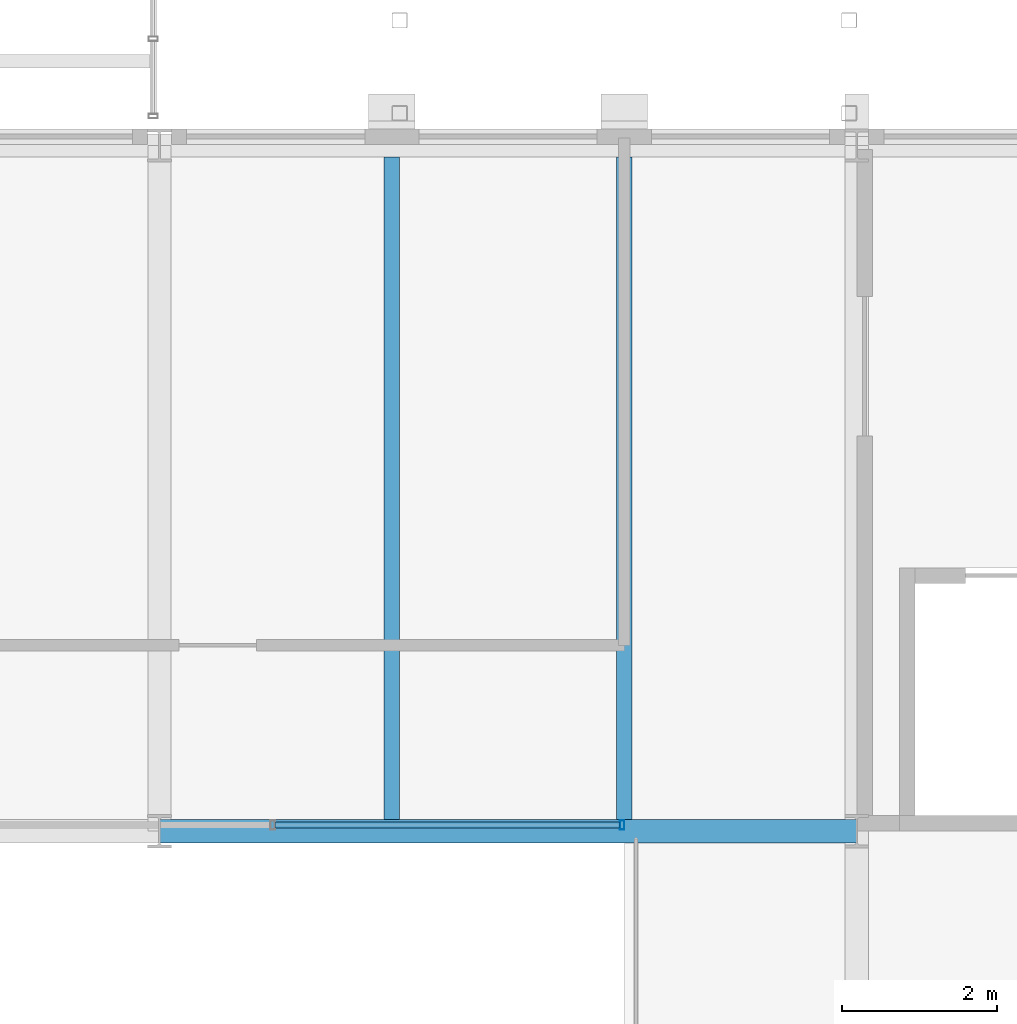
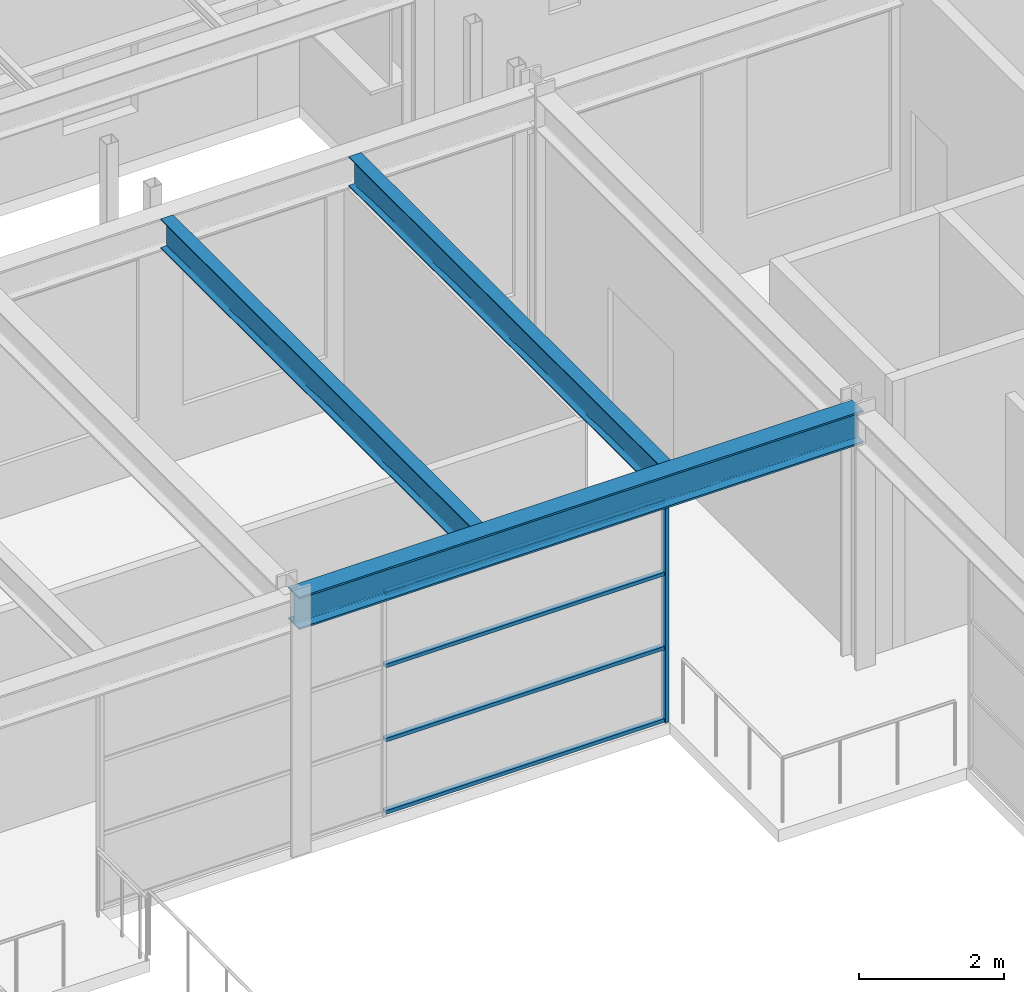
# One storey, part 64 of 153: 5 members, 3 beams, 1 element without a shape of its own.
"""IFC4 building model written with IfcOpenShell, lengths in metres."""

import ifcopenshell
import ifcopenshell.guid

model = None  # the IFC model being written
_history = None  # IfcOwnerHistory: only IFC2X3 demands one
_inside = {}  # id of a spatial element -> (the spatial element, [elements in it])
_under = {}  # id of a project, library or spatial element -> (it, [spatial elements below it])
_declared = {}  # id of a project -> (the project, [libraries it declares])
_typed = {}  # id of a type object -> (the type object, [elements of that type])
_made_of = {}  # id of a material, layer set ... -> (it, [elements and type objects made of it])


def new_model(schema):
    """Start an empty IFC model of exactly this schema.

    Asked for "IFC4X3", IfcOpenShell would pick the latest addendum, in which some entities
    have other attributes; the version numbers below select the first issue.
    IFC2X3 requires an IfcOwnerHistory on every rooted entity: one is made here for all.
    """
    global model, _history
    if schema == "IFC4X3":
        model = ifcopenshell.file(schema_version=(4, 3, 0, 0))
    else:
        model = ifcopenshell.file(schema=schema)
    _inside.clear()
    _under.clear()
    _declared.clear()
    _typed.clear()
    _made_of.clear()
    _history = None
    if model.schema == "IFC2X3":
        org = make("IfcOrganization", Name="unknown")
        user = make(
            "IfcPersonAndOrganization",
            ThePerson=make("IfcPerson", FamilyName="unknown"),
            TheOrganization=org,
        )
        app = make(
            "IfcApplication",
            ApplicationDeveloper=org,
            Version="unknown",
            ApplicationFullName="unknown",
            ApplicationIdentifier="unknown",
        )
        _history = make(
            "IfcOwnerHistory",
            OwningUser=user,
            OwningApplication=app,
            ChangeAction="ADDED",
            CreationDate=0,
        )
    return model


def make(cls, **values):
    """One entity of the class cls with the attributes given. An attribute that is None is left unset."""
    return model.create_entity(
        cls, **{name: value for name, value in values.items() if value is not None}
    )


def rooted(cls, **values):
    """An entity with a GlobalId (a new one), such as an element, a storey or a relation."""
    return make(cls, GlobalId=ifcopenshell.guid.new(), OwnerHistory=_history, **values)


def si_unit(unit_type, name, prefix=None):
    """IfcSIUnit, for example si_unit("LENGTHUNIT", "METRE", prefix="MILLI")."""
    return make("IfcSIUnit", UnitType=unit_type, Prefix=prefix, Name=name)


def assignment(units):
    """IfcUnitAssignment: the units of a project."""
    return None if units is None else make("IfcUnitAssignment", Units=units)


def point(xyz):
    """IfcCartesianPoint."""
    return None if xyz is None else make("IfcCartesianPoint", Coordinates=xyz)


def direction(xyz):
    """IfcDirection."""
    return None if xyz is None else make("IfcDirection", DirectionRatios=xyz)


def frame(location, z_axis=None, x_axis=None):
    """IfcAxis2Placement3D, a coordinate frame: its origin and axes. An axis left out is left unset."""
    return make(
        "IfcAxis2Placement3D",
        Location=point(location),
        Axis=direction(z_axis),
        RefDirection=direction(x_axis),
    )


def frame_2d(location, x_axis=None):
    """IfcAxis2Placement2D, a coordinate frame in the plane: its origin and x axis."""
    return make(
        "IfcAxis2Placement2D", Location=point(location), RefDirection=direction(x_axis)
    )


def origin():
    """The frame at (0, 0, 0) with its axes left unset."""
    return frame((0.0, 0.0, 0.0))


def origin_2d():
    """The frame at (0, 0) in the plane with its x axis left unset."""
    return frame_2d((0.0, 0.0))


def place(relative_to, where):
    """IfcLocalPlacement: puts the frame where relative to a parent placement (None: the world)."""
    return make(
        "IfcLocalPlacement", PlacementRelTo=relative_to, RelativePlacement=where
    )


def context(
    kind, dimensions, precision=None, world=None, true_north=None, identifier=None
):
    """IfcGeometricRepresentationContext, for example the 3D "Model" context."""
    return make(
        "IfcGeometricRepresentationContext",
        ContextIdentifier=identifier,
        ContextType=kind,
        CoordinateSpaceDimension=dimensions,
        Precision=precision,
        WorldCoordinateSystem=world,
        TrueNorth=true_north,
    )


def subcontext(parent, identifier, kind, view, scale=None):
    """IfcGeometricRepresentationSubContext, for example "Body" below "Model"."""
    return make(
        "IfcGeometricRepresentationSubContext",
        ContextIdentifier=identifier,
        ContextType=kind,
        ParentContext=parent,
        TargetScale=scale,
        TargetView=view,
    )


def project(units=None, contexts=None):
    """IfcProject with its units and contexts."""
    return rooted(
        "IfcProject",
        Name="project",
        RepresentationContexts=contexts,
        UnitsInContext=assignment(units),
    )


def spatial(cls, under=None, at=None, **own):
    """A site, building, storey or space (cls), placed at a placement, below another one or the project."""
    s = rooted(cls, ObjectPlacement=at, **own)
    if under is not None:
        _under.setdefault(under.id(), (under, []))[1].append(s)
    return s


def profile(cls, at=None, kind="AREA", **sizes):
    """A parametric profile (cls). Its sizes go by their IFC names, for example OverallWidth=200.0."""
    return make(cls, ProfileType=kind, Position=at, **sizes)


def hollow_rectangle(**sizes):
    """IfcRectangleHollowProfileDef."""
    return profile("IfcRectangleHollowProfileDef", **sizes)


def i_section(**sizes):
    """IfcIShapeProfileDef."""
    return profile("IfcIShapeProfileDef", **sizes)


def extrude(swept, where, along, depth):
    """IfcExtrudedAreaSolid: the profile swept, set in the frame where, extruded along a direction by depth."""
    return make(
        "IfcExtrudedAreaSolid",
        SweptArea=swept,
        Position=where,
        ExtrudedDirection=direction(along),
        Depth=depth,
    )


def shape(context_of_items, identifier, shape_type, items):
    """IfcShapeRepresentation: the items that make up one representation, for example the "Body"."""
    return make(
        "IfcShapeRepresentation",
        ContextOfItems=context_of_items,
        RepresentationIdentifier=identifier,
        RepresentationType=shape_type,
        Items=items,
    )


def material(Name=None, Category=None):
    """IfcMaterial."""
    return make("IfcMaterial", Name=Name, Category=Category)


def material_profile(
    of_material, cross_section, Name=None, Category=None, Priority=None
):
    """IfcMaterialProfile: a cross section and its material."""
    return make(
        "IfcMaterialProfile",
        Name=Name,
        Material=of_material,
        Profile=cross_section,
        Priority=Priority,
        Category=Category,
    )


def profile_set(profiles, Name=None, composite=None):
    """IfcMaterialProfileSet."""
    return make(
        "IfcMaterialProfileSet",
        Name=Name,
        MaterialProfiles=profiles,
        CompositeProfile=composite,
    )


def made_of(thing, what):
    """Note that an element or type object is made of a material, layer set ...; save() writes the relation."""
    if what is not None:
        _made_of.setdefault(what.id(), (what, []))[1].append(thing)
    return thing


def type_object(cls, material=None, **own):
    """A type object (cls), such as IfcWallType, which elements share."""
    return made_of(rooted(cls, **own), material)


def element(
    cls,
    number,
    at=None,
    inside=None,
    cuts=None,
    type_object=None,
    material=None,
    context=None,
    identifier="Body",
    shape_type=None,
    held_by="IfcProductDefinitionShape",
    body=None,
    shapes=None,
    **own,
):
    """One element of the class cls, such as IfcWall. Its Tag is "e" and its number.

    at: its placement. inside: the storey or other place that contains it. cuts: it is an
    opening in that element (IfcRelVoidsElement). A single representation is given by context,
    identifier, shape_type and body (its items); several are given by shapes. held_by: the class
    of the entity that holds the representations. save() writes the other relations.
    """
    e = rooted(cls, Tag="e%d" % number, ObjectPlacement=at, **own)
    if body is not None:
        shapes = [shape(context, identifier, shape_type, body)]
    if shapes is not None:
        e.Representation = make(held_by, Representations=shapes)
    if inside is not None:
        _inside.setdefault(inside.id(), (inside, []))[1].append(e)
    if cuts is not None:
        rooted(
            "IfcRelVoidsElement", RelatingBuildingElement=cuts, RelatedOpeningElement=e
        )
    if type_object is not None:
        _typed.setdefault(type_object.id(), (type_object, []))[1].append(e)
    return made_of(e, material)


def aggregate(whole, parts):
    """IfcRelAggregates: a whole, such as a stair, and the parts it consists of."""
    return rooted("IfcRelAggregates", RelatingObject=whole, RelatedObjects=parts)


def save(model, path):
    """Write the relations noted so far, then the file.

    IfcRelAggregates (storeys below a building ...), IfcRelContainedInSpatialStructure (elements
    in a storey), IfcRelDefinesByType, IfcRelAssociatesMaterial and IfcRelDeclares: one each for
    every whole, place, type object, material and project.
    """
    for whole, parts in _under.values():
        aggregate(whole, parts)
    for where, things in _inside.values():
        rooted(
            "IfcRelContainedInSpatialStructure",
            RelatedElements=things,
            RelatingStructure=where,
        )
    for kind, things in _typed.values():
        rooted("IfcRelDefinesByType", RelatedObjects=things, RelatingType=kind)
    for what, things in _made_of.values():
        rooted("IfcRelAssociatesMaterial", RelatedObjects=things, RelatingMaterial=what)
    for by, libraries in _declared.values():
        rooted("IfcRelDeclares", RelatingContext=by, RelatedDefinitions=libraries)
    model.write(path)


model = new_model("IFC4")

# Units and contexts
model_context = context("Model", 3, precision=1e-05, world=origin(), true_north=direction((0.0, 1.0)))
body_context = subcontext(model_context, "Body", "Model", "MODEL_VIEW")
ifc_project = project(units=[si_unit("LENGTHUNIT", "METRE"), si_unit("AREAUNIT", "SQUARE_METRE"), si_unit("VOLUMEUNIT", "CUBIC_METRE"), si_unit("PLANEANGLEUNIT", "RADIAN"), si_unit("MASSUNIT", "GRAM", prefix="KILO")], contexts=[model_context])

# Site, building, storey
site_placement = place(None, origin())
site = spatial("IfcSite", under=ifc_project, at=site_placement, CompositionType="ELEMENT")
building_placement = place(site_placement, origin())
building = spatial("IfcBuilding", under=site, at=building_placement, Name="Kallimachos Central Library", CompositionType="ELEMENT")
storey_placement = place(building_placement, frame((0.0, 0.0, 5.39990234375)))
storey = spatial("IfcBuildingStorey", under=building, at=storey_placement, Name="L01", CompositionType="ELEMENT", Elevation=5.39990234375)

# Curtain wall, members
ifc_material_1 = material(Name="Aluminium and laminated glass", Category="aluminium")
curtain_wall_type = type_object("IfcCurtainWallType", Name="Atrium glazed screen", PredefinedType="NOTDEFINED", material=ifc_material_1)
curtain_wall_placement = place(storey_placement, origin())
curtain_wall = element("IfcCurtainWall", 1, at=curtain_wall_placement, inside=storey, type_object=curtain_wall_type, Name="L01 atrium screen N", PredefinedType="NOTDEFINED")
ifc_material_2 = material(Name="Anodised aluminium", Category="aluminium")
ifc_material_profile_1 = material_profile(ifc_material_2, hollow_rectangle(XDim=0.06005859375, YDim=0.1201171875, WallThickness=0.00390625, at=origin_2d()), Name="ALU MULLION 60x120")
ifc_profile_set_1 = profile_set([ifc_material_profile_1], Name="Anodised aluminium")
member_type_1 = type_object("IfcMemberType", Name="Atrium screen mullion", PredefinedType="MULLION", material=ifc_profile_set_1)
member_1_placement = place(storey_placement, frame((98.469970703125, 75.080078125, 0.0), z_axis=(0.0, 0.0, 1.0), x_axis=(1.0, 0.0, 0.0)))
member_1 = element("IfcMember", 2, at=member_1_placement, type_object=member_type_1, Name="CW mullion 3", PredefinedType="MULLION", context=body_context, shape_type="SweptSolid", body=[
    extrude(hollow_rectangle(XDim=0.06005859375, YDim=0.1201171875, WallThickness=0.00390625, at=origin_2d()), origin(), (0.0, 0.0, 1.0), 3.75),
])
ifc_material_3 = material(Name="Anodised aluminium", Category="aluminium")
ifc_material_profile_2 = material_profile(ifc_material_3, hollow_rectangle(XDim=0.06005859375, YDim=0.080078125, WallThickness=0.00390625, at=origin_2d()), Name="ALU TRANSOM 60x80")
ifc_profile_set_2 = profile_set([ifc_material_profile_2], Name="Anodised aluminium")
member_type_2 = type_object("IfcMemberType", Name="Atrium screen transom", PredefinedType="USERDEFINED", material=ifc_profile_set_2)
member_2_placement = place(storey_placement, frame((93.992431640625, 75.080078125, 0.030029296875), z_axis=(1.0, 0.0, 0.0), x_axis=(0.0, 0.0, 1.0)))
member_2 = element("IfcMember", 3, at=member_2_placement, type_object=member_type_2, Name="CW transom 2.1", ObjectType="TRANSOM", PredefinedType="USERDEFINED", context=body_context, shape_type="SweptSolid", body=[
    extrude(hollow_rectangle(XDim=0.06005859375, YDim=0.080078125, WallThickness=0.00390625, at=origin_2d()), origin(), (0.0, 0.0, 1.0), 4.447509765625),
])
member_3_placement = place(storey_placement, frame((93.992431640625, 75.080078125, 1.25), z_axis=(1.0, 0.0, 0.0), x_axis=(0.0, 0.0, 1.0)))
member_3 = element("IfcMember", 4, at=member_3_placement, type_object=member_type_2, Name="CW transom 2.2", ObjectType="TRANSOM", PredefinedType="USERDEFINED", context=body_context, shape_type="SweptSolid", body=[
    extrude(hollow_rectangle(XDim=0.06005859375, YDim=0.080078125, WallThickness=0.00390625, at=origin_2d()), origin(), (0.0, 0.0, 1.0), 4.447509765625),
])
member_4_placement = place(storey_placement, frame((93.992431640625, 75.080078125, 2.5), z_axis=(1.0, 0.0, 0.0), x_axis=(0.0, 0.0, 1.0)))
member_4 = element("IfcMember", 5, at=member_4_placement, type_object=member_type_2, Name="CW transom 2.3", ObjectType="TRANSOM", PredefinedType="USERDEFINED", context=body_context, shape_type="SweptSolid", body=[
    extrude(hollow_rectangle(XDim=0.06005859375, YDim=0.080078125, WallThickness=0.00390625, at=origin_2d()), origin(), (0.0, 0.0, 1.0), 4.447509765625),
])
member_5_placement = place(storey_placement, frame((93.992431640625, 75.080078125, 3.72021484375), z_axis=(1.0, 0.0, 0.0), x_axis=(0.0, 0.0, 1.0)))
member_5 = element("IfcMember", 6, at=member_5_placement, type_object=member_type_2, Name="CW transom 2.4", ObjectType="TRANSOM", PredefinedType="USERDEFINED", context=body_context, shape_type="SweptSolid", body=[
    extrude(hollow_rectangle(XDim=0.06005859375, YDim=0.080078125, WallThickness=0.00390625, at=origin_2d()), origin(), (0.0, 0.0, 1.0), 4.447509765625),
])
aggregate(curtain_wall, [member_1, member_2, member_3, member_4, member_5])

# Beams
ifc_material_4 = material(Name="Steel S355J2", Category="steel")
ifc_material_profile_3 = material_profile(ifc_material_4, i_section(OverallWidth=0.300048828125, OverallDepth=0.550048828125, WebThickness=0.014892578125, FlangeThickness=0.029052734375, FilletRadius=0.027099609375, at=origin_2d()), Name="HEB 550")
ifc_profile_set_3 = profile_set([ifc_material_profile_3], Name="Steel S355J2")
beam_type_1 = type_object("IfcBeamType", Name="HEB 550 beam", PredefinedType="BEAM", material=ifc_profile_set_3)
beam_placement = place(storey_placement, frame((92.5, 75.0, 4.025146484375), z_axis=(1.0, 0.0, 0.0), x_axis=(0.0, 1.0, 0.0)))
element("IfcBeam", 7, at=beam_placement, inside=storey, type_object=beam_type_1, Name="V4-BEM-L01-003", PredefinedType="BEAM", context=body_context, shape_type="SweptSolid", body=[
    extrude(i_section(OverallWidth=0.300048828125, OverallDepth=0.550048828125, WebThickness=0.014892578125, FlangeThickness=0.029052734375, FilletRadius=0.027099609375, at=origin_2d()), origin(), (0.0, 0.0, 1.0), 9.0),
])
ifc_material_5 = material(Name="Steel S355J2", Category="steel")
ifc_material_profile_4 = material_profile(ifc_material_5, i_section(OverallWidth=0.199951171875, OverallDepth=0.5, WebThickness=0.01025390625, FlangeThickness=0.01611328125, FilletRadius=0.02099609375, at=origin_2d()), Name="IPE 500")
ifc_profile_set_4 = profile_set([ifc_material_profile_4], Name="Steel S355J2")
beam_type_2 = type_object("IfcBeamType", Name="IPE 500 beam", PredefinedType="BEAM", material=ifc_profile_set_4)
for number, where, z_axis, x_axis, name in (
    (8, (95.5, 75.14990234375, 4.050048828125), (0.0, 1.0, 0.0), (-1.0, 0.0, 0.0), "V4-BEM-L01-019"),
    (9, (98.5, 75.14990234375, 4.050048828125), (0.0, 1.0, 0.0), (-1.0, 0.0, 0.0), "V4-BEM-L01-020"),
):
    element("IfcBeam", number, at=place(storey_placement, frame(where, z_axis=z_axis, x_axis=x_axis)), inside=storey, type_object=beam_type_2, Name=name, PredefinedType="BEAM", context=body_context, shape_type="SweptSolid", body=[
        extrude(i_section(OverallWidth=0.199951171875, OverallDepth=0.5, WebThickness=0.01025390625, FlangeThickness=0.01611328125, FilletRadius=0.02099609375, at=origin_2d()), origin(), (0.0, 0.0, 1.0), 8.550048828125),
    ])

save(model, "model.ifc")
